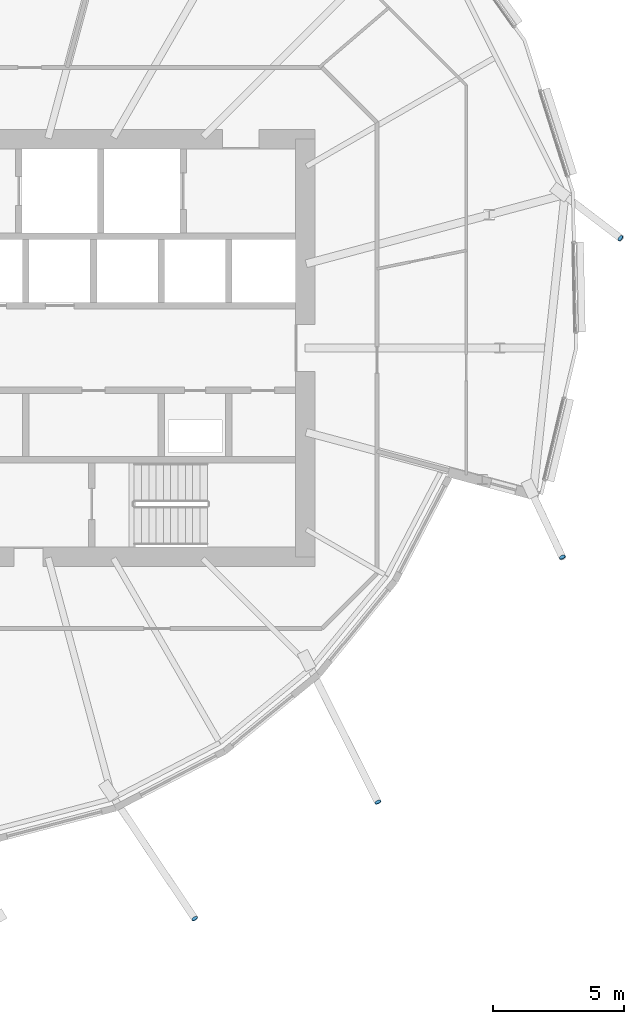
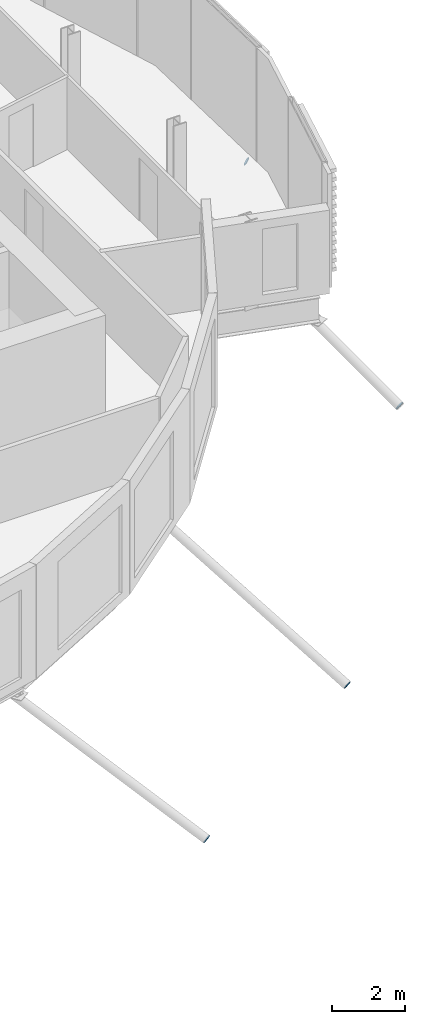
# One storey, part 34 of 42: 4 discrete accessories.
"""IFC4 building model written with IfcOpenShell, lengths in metres."""

import ifcopenshell
import ifcopenshell.guid

model = None  # the IFC model being written
_history = None  # IfcOwnerHistory: only IFC2X3 demands one
_inside = {}  # id of a spatial element -> (the spatial element, [elements in it])
_under = {}  # id of a project, library or spatial element -> (it, [spatial elements below it])
_declared = {}  # id of a project -> (the project, [libraries it declares])
_typed = {}  # id of a type object -> (the type object, [elements of that type])
_made_of = {}  # id of a material, layer set ... -> (it, [elements and type objects made of it])


def new_model(schema):
    """Start an empty IFC model of exactly this schema.

    Asked for "IFC4X3", IfcOpenShell would pick the latest addendum, in which some entities
    have other attributes; the version numbers below select the first issue.
    IFC2X3 requires an IfcOwnerHistory on every rooted entity: one is made here for all.
    """
    global model, _history
    if schema == "IFC4X3":
        model = ifcopenshell.file(schema_version=(4, 3, 0, 0))
    else:
        model = ifcopenshell.file(schema=schema)
    _inside.clear()
    _under.clear()
    _declared.clear()
    _typed.clear()
    _made_of.clear()
    _history = None
    if model.schema == "IFC2X3":
        org = make("IfcOrganization", Name="unknown")
        user = make(
            "IfcPersonAndOrganization",
            ThePerson=make("IfcPerson", FamilyName="unknown"),
            TheOrganization=org,
        )
        app = make(
            "IfcApplication",
            ApplicationDeveloper=org,
            Version="unknown",
            ApplicationFullName="unknown",
            ApplicationIdentifier="unknown",
        )
        _history = make(
            "IfcOwnerHistory",
            OwningUser=user,
            OwningApplication=app,
            ChangeAction="ADDED",
            CreationDate=0,
        )
    return model


def make(cls, **values):
    """One entity of the class cls with the attributes given. An attribute that is None is left unset."""
    return model.create_entity(
        cls, **{name: value for name, value in values.items() if value is not None}
    )


def rooted(cls, **values):
    """An entity with a GlobalId (a new one), such as an element, a storey or a relation."""
    return make(cls, GlobalId=ifcopenshell.guid.new(), OwnerHistory=_history, **values)


def si_unit(unit_type, name, prefix=None):
    """IfcSIUnit, for example si_unit("LENGTHUNIT", "METRE", prefix="MILLI")."""
    return make("IfcSIUnit", UnitType=unit_type, Prefix=prefix, Name=name)


def assignment(units):
    """IfcUnitAssignment: the units of a project."""
    return None if units is None else make("IfcUnitAssignment", Units=units)


def point(xyz):
    """IfcCartesianPoint."""
    return None if xyz is None else make("IfcCartesianPoint", Coordinates=xyz)


def direction(xyz):
    """IfcDirection."""
    return None if xyz is None else make("IfcDirection", DirectionRatios=xyz)


def frame(location, z_axis=None, x_axis=None):
    """IfcAxis2Placement3D, a coordinate frame: its origin and axes. An axis left out is left unset."""
    return make(
        "IfcAxis2Placement3D",
        Location=point(location),
        Axis=direction(z_axis),
        RefDirection=direction(x_axis),
    )


def frame_2d(location, x_axis=None):
    """IfcAxis2Placement2D, a coordinate frame in the plane: its origin and x axis."""
    return make(
        "IfcAxis2Placement2D", Location=point(location), RefDirection=direction(x_axis)
    )


def origin():
    """The frame at (0, 0, 0) with its axes left unset."""
    return frame((0.0, 0.0, 0.0))


def origin_2d():
    """The frame at (0, 0) in the plane with its x axis left unset."""
    return frame_2d((0.0, 0.0))


def place(relative_to, where):
    """IfcLocalPlacement: puts the frame where relative to a parent placement (None: the world)."""
    return make(
        "IfcLocalPlacement", PlacementRelTo=relative_to, RelativePlacement=where
    )


def context(
    kind, dimensions, precision=None, world=None, true_north=None, identifier=None
):
    """IfcGeometricRepresentationContext, for example the 3D "Model" context."""
    return make(
        "IfcGeometricRepresentationContext",
        ContextIdentifier=identifier,
        ContextType=kind,
        CoordinateSpaceDimension=dimensions,
        Precision=precision,
        WorldCoordinateSystem=world,
        TrueNorth=true_north,
    )


def subcontext(parent, identifier, kind, view, scale=None):
    """IfcGeometricRepresentationSubContext, for example "Body" below "Model"."""
    return make(
        "IfcGeometricRepresentationSubContext",
        ContextIdentifier=identifier,
        ContextType=kind,
        ParentContext=parent,
        TargetScale=scale,
        TargetView=view,
    )


def project(units=None, contexts=None):
    """IfcProject with its units and contexts."""
    return rooted(
        "IfcProject",
        Name="project",
        RepresentationContexts=contexts,
        UnitsInContext=assignment(units),
    )


def spatial(cls, under=None, at=None, **own):
    """A site, building, storey or space (cls), placed at a placement, below another one or the project."""
    s = rooted(cls, ObjectPlacement=at, **own)
    if under is not None:
        _under.setdefault(under.id(), (under, []))[1].append(s)
    return s


def profile(cls, at=None, kind="AREA", **sizes):
    """A parametric profile (cls). Its sizes go by their IFC names, for example OverallWidth=200.0."""
    return make(cls, ProfileType=kind, Position=at, **sizes)


def circle(**sizes):
    """IfcCircleProfileDef."""
    return profile("IfcCircleProfileDef", **sizes)


def extrude(swept, where, along, depth):
    """IfcExtrudedAreaSolid: the profile swept, set in the frame where, extruded along a direction by depth."""
    return make(
        "IfcExtrudedAreaSolid",
        SweptArea=swept,
        Position=where,
        ExtrudedDirection=direction(along),
        Depth=depth,
    )


def shape(context_of_items, identifier, shape_type, items):
    """IfcShapeRepresentation: the items that make up one representation, for example the "Body"."""
    return make(
        "IfcShapeRepresentation",
        ContextOfItems=context_of_items,
        RepresentationIdentifier=identifier,
        RepresentationType=shape_type,
        Items=items,
    )


def material(Name=None, Category=None):
    """IfcMaterial."""
    return make("IfcMaterial", Name=Name, Category=Category)


def material_profile(
    of_material, cross_section, Name=None, Category=None, Priority=None
):
    """IfcMaterialProfile: a cross section and its material."""
    return make(
        "IfcMaterialProfile",
        Name=Name,
        Material=of_material,
        Profile=cross_section,
        Priority=Priority,
        Category=Category,
    )


def profile_set(profiles, Name=None, composite=None):
    """IfcMaterialProfileSet."""
    return make(
        "IfcMaterialProfileSet",
        Name=Name,
        MaterialProfiles=profiles,
        CompositeProfile=composite,
    )


def made_of(thing, what):
    """Note that an element or type object is made of a material, layer set ...; save() writes the relation."""
    if what is not None:
        _made_of.setdefault(what.id(), (what, []))[1].append(thing)
    return thing


def type_object(cls, material=None, **own):
    """A type object (cls), such as IfcWallType, which elements share."""
    return made_of(rooted(cls, **own), material)


def element(
    cls,
    number,
    at=None,
    inside=None,
    cuts=None,
    type_object=None,
    material=None,
    context=None,
    identifier="Body",
    shape_type=None,
    held_by="IfcProductDefinitionShape",
    body=None,
    shapes=None,
    **own,
):
    """One element of the class cls, such as IfcWall. Its Tag is "e" and its number.

    at: its placement. inside: the storey or other place that contains it. cuts: it is an
    opening in that element (IfcRelVoidsElement). A single representation is given by context,
    identifier, shape_type and body (its items); several are given by shapes. held_by: the class
    of the entity that holds the representations. save() writes the other relations.
    """
    e = rooted(cls, Tag="e%d" % number, ObjectPlacement=at, **own)
    if body is not None:
        shapes = [shape(context, identifier, shape_type, body)]
    if shapes is not None:
        e.Representation = make(held_by, Representations=shapes)
    if inside is not None:
        _inside.setdefault(inside.id(), (inside, []))[1].append(e)
    if cuts is not None:
        rooted(
            "IfcRelVoidsElement", RelatingBuildingElement=cuts, RelatedOpeningElement=e
        )
    if type_object is not None:
        _typed.setdefault(type_object.id(), (type_object, []))[1].append(e)
    return made_of(e, material)


def aggregate(whole, parts):
    """IfcRelAggregates: a whole, such as a stair, and the parts it consists of."""
    return rooted("IfcRelAggregates", RelatingObject=whole, RelatedObjects=parts)


def save(model, path):
    """Write the relations noted so far, then the file.

    IfcRelAggregates (storeys below a building ...), IfcRelContainedInSpatialStructure (elements
    in a storey), IfcRelDefinesByType, IfcRelAssociatesMaterial and IfcRelDeclares: one each for
    every whole, place, type object, material and project.
    """
    for whole, parts in _under.values():
        aggregate(whole, parts)
    for where, things in _inside.values():
        rooted(
            "IfcRelContainedInSpatialStructure",
            RelatedElements=things,
            RelatingStructure=where,
        )
    for kind, things in _typed.values():
        rooted("IfcRelDefinesByType", RelatedObjects=things, RelatingType=kind)
    for what, things in _made_of.values():
        rooted("IfcRelAssociatesMaterial", RelatedObjects=things, RelatingMaterial=what)
    for by, libraries in _declared.values():
        rooted("IfcRelDeclares", RelatingContext=by, RelatedDefinitions=libraries)
    model.write(path)


model = new_model("IFC4")

# Units and contexts
model_context = context("Model", 3, precision=1e-05, world=origin(), true_north=direction((0.0, 1.0)))
body_context = subcontext(model_context, "Body", "Model", "MODEL_VIEW")
ifc_project = project(units=[si_unit("LENGTHUNIT", "METRE"), si_unit("AREAUNIT", "SQUARE_METRE"), si_unit("VOLUMEUNIT", "CUBIC_METRE"), si_unit("PLANEANGLEUNIT", "RADIAN"), si_unit("MASSUNIT", "GRAM", prefix="KILO")], contexts=[model_context])

# Site, building, storey
site_placement = place(None, origin())
site = spatial("IfcSite", under=ifc_project, at=site_placement, CompositionType="ELEMENT")
building_placement = place(site_placement, origin())
building = spatial("IfcBuilding", under=site, at=building_placement, Name="Rimbun Link Towers", CompositionType="ELEMENT")
storey_placement = place(building_placement, frame((0.0, 0.0, 85.39990234375)))
storey = spatial("IfcBuildingStorey", under=building, at=storey_placement, Name="L20", CompositionType="ELEMENT", Elevation=85.39990234375)

# Discrete accessories
ifc_material = material(Name="Steel S355J2H", Category="steel")
ifc_material_profile = material_profile(ifc_material, circle(Radius=0.1240234375, at=origin_2d()), Name="PL D248")
ifc_profile_set = profile_set([ifc_material_profile], Name="Steel S355J2H")
discrete_accessory_type = type_object("IfcDiscreteAccessoryType", Name="Link foot sealing plate D248X20", PredefinedType="BRACKET", material=ifc_profile_set)
discrete_accessory_1_placement = place(storey_placement, frame((39.5166015625, -21.8544921875, -3.88720703125), z_axis=(0.486324434944, -0.74164476329, -0.462008213197), x_axis=(0.836244367386, 0.54835696222, 0.0)))
element("IfcDiscreteAccessory", 1, at=discrete_accessory_1_placement, inside=storey, type_object=discrete_accessory_type, Name="Link foot sealing plate T2 L20 16", PredefinedType="BRACKET", context=body_context, shape_type="SweptSolid", body=[
    extrude(circle(Radius=0.1240234375, at=origin_2d()), origin(), (0.0, 0.0, 1.0), 0.02001953125),
])
for number, where, z_axis, x_axis, name in (
    (2, (46.5341796875, -17.390869140625, -3.90966796875), (0.394971438889, -0.789942877778, -0.469028583681), (0.894427191, 0.4472135955, 0.0), "Link foot sealing plate T2 L20 18"),
    (3, (53.600830078125, -8.0078125, -2.75146484375), (0.368354734342, -0.773544942118, -0.515696628079), (0.902860518824, 0.429933580392, 0.0), "Link foot sealing plate T2 L20 20"),
):
    element("IfcDiscreteAccessory", number, at=place(storey_placement, frame(where, z_axis=z_axis, x_axis=x_axis)), inside=storey, type_object=discrete_accessory_type, Name=name, PredefinedType="BRACKET", context=body_context, shape_type="SweptSolid", body=[
        extrude(circle(Radius=0.1240234375, at=origin_2d()), origin(), (0.0, 0.0, 1.0), 0.019775390625),
    ])
discrete_accessory_2_placement = place(storey_placement, frame((55.828857421875, 4.213623046875, -2.799072265625), z_axis=(0.692296344954, -0.522258646194, -0.497967546371), x_axis=(0.602238533698, 0.798316195833, 0.0)))
element("IfcDiscreteAccessory", 4, at=discrete_accessory_2_placement, inside=storey, type_object=discrete_accessory_type, Name="Link foot sealing plate T2 L20 22", PredefinedType="BRACKET", context=body_context, shape_type="SweptSolid", body=[
    extrude(circle(Radius=0.1240234375, at=origin_2d()), origin(), (0.0, 0.0, 1.0), 0.02001953125),
])

save(model, "model.ifc")
